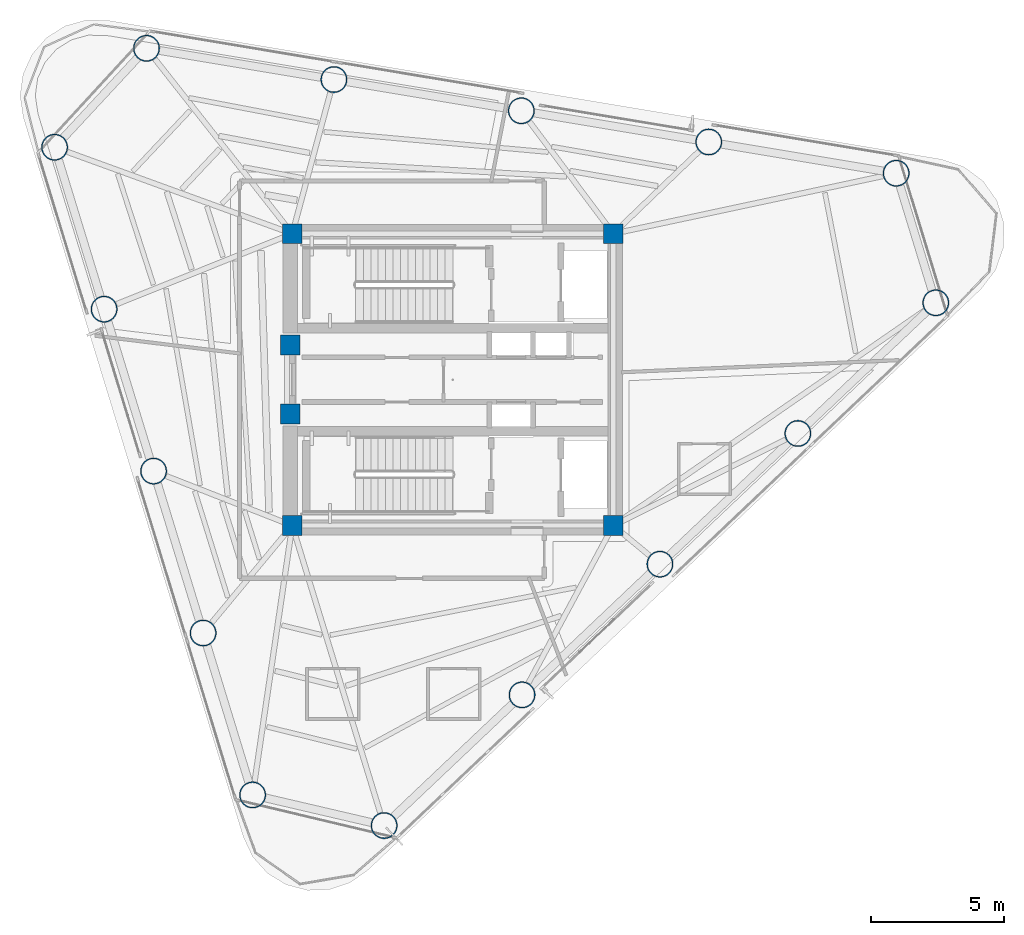
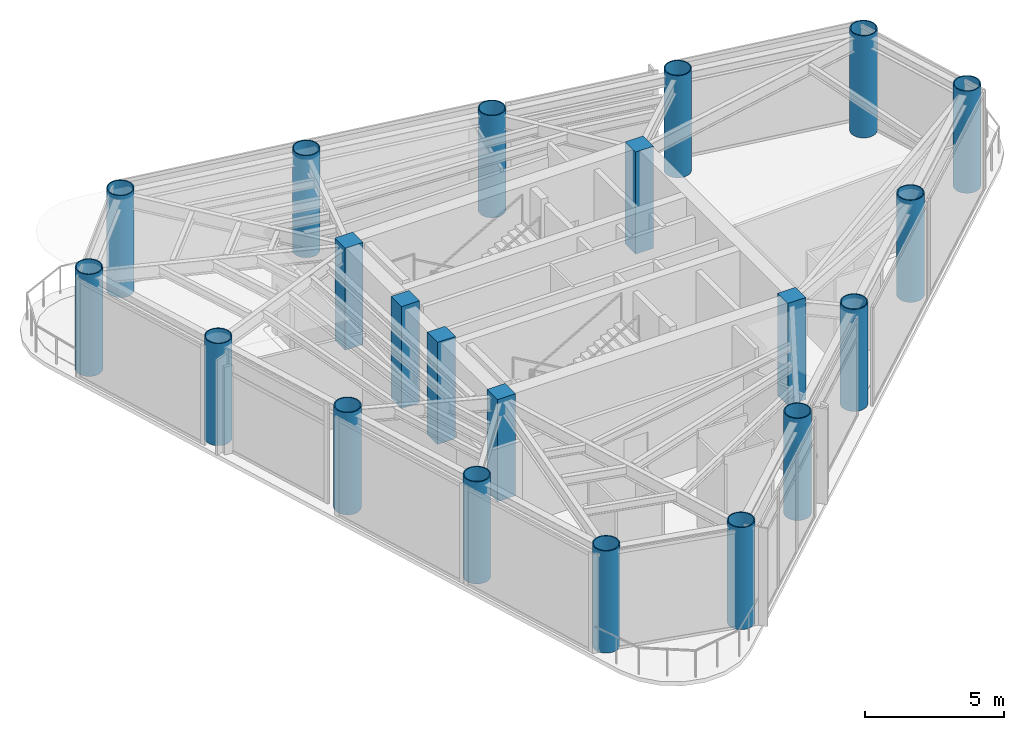
# One storey, part 1 of 11: 21 columns.
"""IFC4 building model written with IfcOpenShell, lengths in metres."""

from ifc_helpers import new_model, si_unit, direction, frame, origin, origin_2d, place, context, subcontext, project, spatial, rectangle, hollow_circle, extrude, source, transform, mapped, material, material_profile, profile_set, type_object, element, save


model = new_model("IFC4")

# Units and contexts
model_context = context("Model", 3, precision=1e-05, world=origin(), true_north=direction((0.0, 1.0)))
body_context = subcontext(model_context, "Body", "Model", "MODEL_VIEW")
ifc_project = project(units=[si_unit("LENGTHUNIT", "METRE"), si_unit("AREAUNIT", "SQUARE_METRE"), si_unit("VOLUMEUNIT", "CUBIC_METRE"), si_unit("PLANEANGLEUNIT", "RADIAN"), si_unit("MASSUNIT", "GRAM", prefix="KILO")], contexts=[model_context])

# Site, building, storey
site_placement = place(None, origin())
site = spatial("IfcSite", under=ifc_project, at=site_placement, CompositionType="ELEMENT")
building_placement = place(site_placement, origin())
building = spatial("IfcBuilding", under=site, at=building_placement, Name="Yunling Apex Tower", CompositionType="ELEMENT")
storey_placement = place(building_placement, frame((0.0, 0.0, 224.14990234375)))
storey = spatial("IfcBuildingStorey", under=building, at=storey_placement, Name="L54", CompositionType="ELEMENT", Elevation=224.14990234375)

# Columns
ifc_material_1 = material(Name="Concrete C50", Category="concrete")
ifc_material_profile_1 = material_profile(ifc_material_1, rectangle(XDim=0.75, YDim=0.75, at=origin_2d()))
ifc_profile_set_1 = profile_set([ifc_material_profile_1], Name="Concrete C50")
column_type_1 = type_object("IfcColumnType", Name="PC-SRC-4", PredefinedType="COLUMN", material=ifc_profile_set_1)
shared_shape_1 = source(origin(), body_context, "Body", "SweptSolid", [
    extrude(rectangle(XDim=0.75, YDim=0.75, at=origin_2d()), origin(), (0.0, 0.0, 1.0), 4.5),
])
for number, where, z_axis, x_axis, name in (
    (1, (-6.050048828125, -5.5, 0.0), (0.0, 0.0, 1.0), (1.0, 0.0, 0.0), "L54 Core Spine Column CC-SW"),
    (2, (6.050048828125, -5.5, 0.0), (0.0, 0.0, 1.0), (1.0, 0.0, 0.0), "L54 Core Spine Column CC-SE"),
    (3, (6.050048828125, 5.5, 0.0), (0.0, 0.0, 1.0), (1.0, 0.0, 0.0), "L54 Core Spine Column CC-NE"),
    (4, (-6.050048828125, 5.5, 0.0), (0.0, 0.0, 1.0), (1.0, 0.0, 0.0), "L54 Core Spine Column CC-NW"),
    (5, (-6.125, -1.300048828125, 0.0), (0.0, 0.0, 1.0), (1.0, 0.0, 0.0), "L54 Core West Portal Jamb Column S"),
    (6, (-6.125, 1.300048828125, 0.0), (0.0, 0.0, 1.0), (1.0, 0.0, 0.0), "L54 Core West Portal Jamb Column N"),
):
    element("IfcColumn", number, at=place(storey_placement, frame(where, z_axis=z_axis, x_axis=x_axis)), inside=storey, type_object=column_type_1, Name=name, PredefinedType="COLUMN", context=body_context, shape_type="MappedRepresentation", body=[
        mapped(shared_shape_1, transform((0.0, 0.0, 0.0), scale=1.0)),
    ])
ifc_material_2 = material(Name="Steel Q390GJC", Category="steel")
ifc_material_profile_2 = material_profile(ifc_material_2, hollow_circle(Radius=0.5, WallThickness=0.0400390625, at=origin_2d()))
ifc_profile_set_2 = profile_set([ifc_material_profile_2], Name="Steel Q390GJC")
column_type_2 = type_object("IfcColumnType", Name="MC-CFST-5", PredefinedType="COLUMN", material=ifc_profile_set_2)
shared_shape_2 = source(origin(), body_context, "Body", "SweptSolid", [
    extrude(hollow_circle(Radius=0.5, WallThickness=0.0400390625, at=origin_2d()), origin(), (0.0, 0.0, 1.0), 4.5),
])
for number, where, z_axis, x_axis, name in (
    (7, (-2.58740234375, -16.807861328125, 0.0), (0.0, 0.0, 1.0), (1.0, 0.0, 0.0), "L54 Perimeter CFST Mega-Column P01"),
    (8, (2.61083984375, -11.8818359375, 0.0), (0.0, 0.0, 1.0), (1.0, 0.0, 0.0), "L54 Perimeter CFST Mega-Column P02"),
    (9, (7.80908203125, -6.9560546875, 0.0), (0.0, 0.0, 1.0), (1.0, 0.0, 0.0), "L54 Perimeter CFST Mega-Column P03"),
    (10, (13.007080078125, -2.030029296875, 0.0), (0.0, 0.0, 1.0), (1.0, 0.0, 0.0), "L54 Perimeter CFST Mega-Column P04"),
    (11, (18.205322265625, 2.89599609375, 0.0), (0.0, 0.0, 1.0), (1.0, 0.0, 0.0), "L54 Perimeter CFST Mega-Column P05"),
    (12, (16.712158203125, 7.779296875, 0.0), (0.0, 0.0, 1.0), (1.0, 0.0, 0.0), "L54 Perimeter CFST Mega-Column P06"),
    (13, (9.648193359375, 8.95654296875, 0.0), (0.0, 0.0, 1.0), (1.0, 0.0, 0.0), "L54 Perimeter CFST Mega-Column P07"),
    (14, (2.584228515625, 10.133544921875, 0.0), (0.0, 0.0, 1.0), (1.0, 0.0, 0.0), "L54 Perimeter CFST Mega-Column P08"),
    (15, (-4.479736328125, 11.310546875, 0.0), (0.0, 0.0, 1.0), (1.0, 0.0, 0.0), "L54 Perimeter CFST Mega-Column P09"),
    (16, (-11.543701171875, 12.487548828125, 0.0), (0.0, 0.0, 1.0), (1.0, 0.0, 0.0), "L54 Perimeter CFST Mega-Column P10"),
    (17, (-15.007568359375, 8.7587890625, 0.0), (0.0, 0.0, 1.0), (1.0, 0.0, 0.0), "L54 Perimeter CFST Mega-Column P11"),
    (18, (-13.1416015625, 2.65576171875, 0.0), (0.0, 0.0, 1.0), (1.0, 0.0, 0.0), "L54 Perimeter CFST Mega-Column P12"),
    (19, (-11.27587890625, -3.447509765625, 0.0), (0.0, 0.0, 1.0), (1.0, 0.0, 0.0), "L54 Perimeter CFST Mega-Column P13"),
    (20, (-9.409912109375, -9.55029296875, 0.0), (0.0, 0.0, 1.0), (1.0, 0.0, 0.0), "L54 Perimeter CFST Mega-Column P14"),
    (21, (-7.5439453125, -15.6533203125, 0.0), (0.0, 0.0, 1.0), (1.0, 0.0, 0.0), "L54 Perimeter CFST Mega-Column P15"),
):
    element("IfcColumn", number, at=place(storey_placement, frame(where, z_axis=z_axis, x_axis=x_axis)), inside=storey, type_object=column_type_2, Name=name, PredefinedType="COLUMN", context=body_context, shape_type="MappedRepresentation", body=[
        mapped(shared_shape_2, transform((0.0, 0.0, 0.0), scale=1.0)),
    ])

save(model, "model.ifc")
